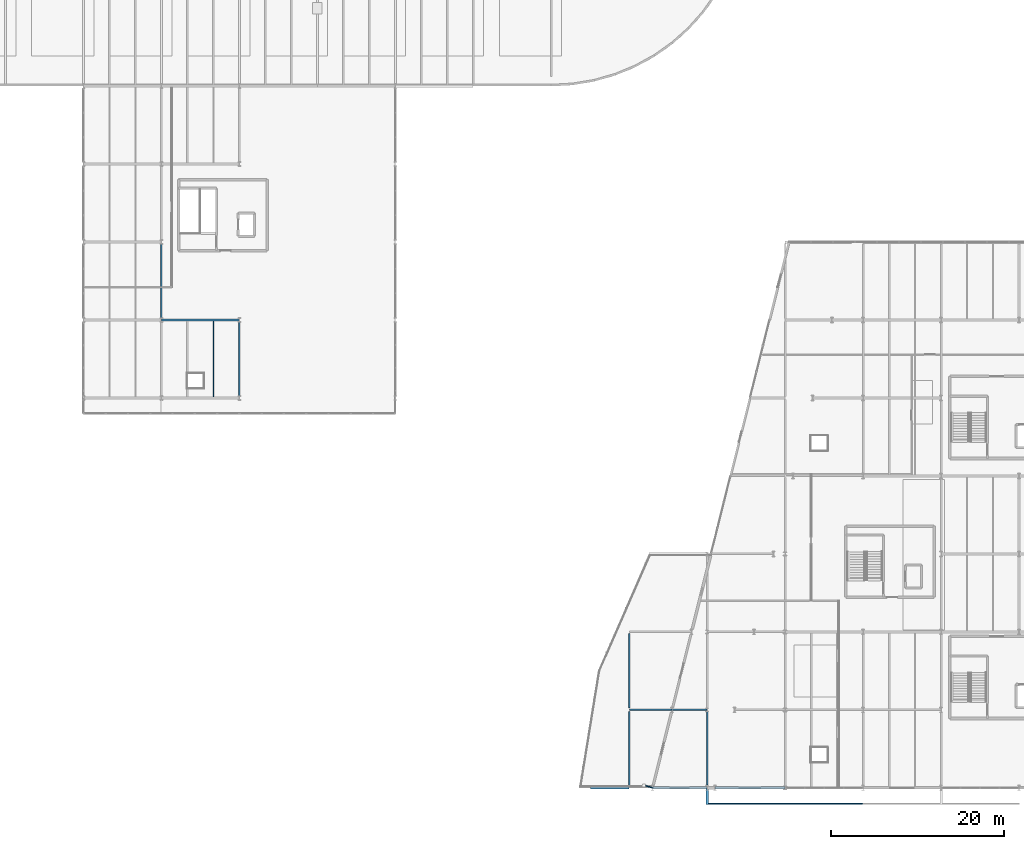
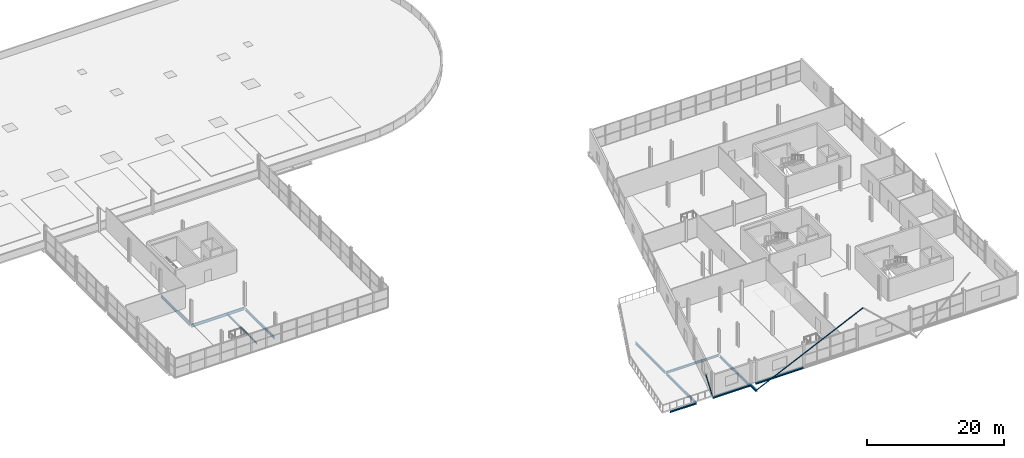
# One storey, part 9 of 59: 13 beams, 2 members.
"""IFC4 building model written with IfcOpenShell, lengths in metres."""

from ifc_helpers import new_model, si_unit, direction, frame, origin, origin_2d, place, context, subcontext, project, spatial, hollow_circle, i_section, extrude, material, material_profile, profile_set, type_object, element, save


model = new_model("IFC4")

# Units and contexts
model_context = context("Model", 3, precision=1e-05, world=origin(), true_north=direction((0.0, 1.0)))
body_context = subcontext(model_context, "Body", "Model", "MODEL_VIEW")
ifc_project = project(units=[si_unit("LENGTHUNIT", "METRE"), si_unit("AREAUNIT", "SQUARE_METRE"), si_unit("VOLUMEUNIT", "CUBIC_METRE"), si_unit("PLANEANGLEUNIT", "RADIAN"), si_unit("MASSUNIT", "GRAM", prefix="KILO")], contexts=[model_context])

# Site, building, storey
site_placement = place(None, origin())
site = spatial("IfcSite", under=ifc_project, at=site_placement, CompositionType="ELEMENT")
building_placement = place(site_placement, origin())
building = spatial("IfcBuilding", under=site, at=building_placement, Name="Deido Ridge Mobility Hub", CompositionType="ELEMENT")
storey_placement = place(building_placement, frame((0.0, 0.0, 21.0)))
storey = spatial("IfcBuildingStorey", under=building, at=storey_placement, Name="L05", CompositionType="ELEMENT", Elevation=21.0)

# Beams
ifc_material_1 = material(Name="Steel S355J2 EN 10025-2", Category="steel")
ifc_material_profile_1 = material_profile(ifc_material_1, i_section(OverallWidth=0.179931640625, OverallDepth=0.39990234375, WebThickness=0.008544921875, FlangeThickness=0.013427734375, FilletRadius=0.02099609375, at=origin_2d()), Name="IPE 400")
ifc_profile_set_1 = profile_set([ifc_material_profile_1], Name="Steel S355J2 EN 10025-2")
beam_type_1 = type_object("IfcBeamType", Name="BM-IPE400", PredefinedType="BEAM", material=ifc_profile_set_1)
beam_1_placement = place(storey_placement, frame((126.0087890625, 9.0, -0.445068359375), z_axis=(1.0, 0.0, 0.0), x_axis=(0.0, 1.0, 0.0)))
element("IfcBeam", 1, at=beam_1_placement, inside=storey, type_object=beam_type_1, Name="Floor beam B5", PredefinedType="BEAM", context=body_context, shape_type="SweptSolid", body=[
    extrude(i_section(OverallWidth=0.179931640625, OverallDepth=0.39990234375, WebThickness=0.008544921875, FlangeThickness=0.013427734375, FilletRadius=0.02099609375, at=origin_2d()), origin(), (0.0, 0.0, 1.0), 4.93359375),
])
beam_2_placement = place(storey_placement, frame((130.957763671875, 9.0, -0.445068359375), z_axis=(1.0, 0.0, 0.0), x_axis=(0.0, 1.0, 0.0)))
element("IfcBeam", 2, at=beam_2_placement, inside=storey, type_object=beam_type_1, Name="Floor beam B5", PredefinedType="BEAM", context=body_context, shape_type="SweptSolid", body=[
    extrude(i_section(OverallWidth=0.179931640625, OverallDepth=0.39990234375, WebThickness=0.008544921875, FlangeThickness=0.013427734375, FilletRadius=0.02099609375, at=origin_2d()), origin(), (0.0, 0.0, 1.0), 4.035400390625),
])
ifc_material_profile_2 = material_profile(ifc_material_1, i_section(OverallWidth=0.18994140625, OverallDepth=0.449951171875, WebThickness=0.009521484375, FlangeThickness=0.0146484375, FilletRadius=0.02099609375, at=origin_2d()), Name="IPE 450")
ifc_profile_set_2 = profile_set([ifc_material_profile_2], Name="Steel S355J2 EN 10025-2")
beam_type_2 = type_object("IfcBeamType", Name="BM-IPE450", PredefinedType="BEAM", material=ifc_profile_set_2)
for number, where, z_axis, x_axis, name in (
    (3, (72.0, 54.25, -0.469970703125), (0.0, 1.0, 0.0), (-1.0, 0.0, 0.0), "Floor beam B4"),
    (4, (81.0, 45.25, -0.469970703125), (0.0, 1.0, 0.0), (-1.0, 0.0, 0.0), "Floor beam B4"),
):
    element("IfcBeam", number, at=place(storey_placement, frame(where, z_axis=z_axis, x_axis=x_axis)), inside=storey, type_object=beam_type_2, Name=name, PredefinedType="BEAM", context=body_context, shape_type="SweptSolid", body=[
        extrude(i_section(OverallWidth=0.18994140625, OverallDepth=0.449951171875, WebThickness=0.009521484375, FlangeThickness=0.0146484375, FilletRadius=0.02099609375, at=origin_2d()), origin(), (0.0, 0.0, 1.0), 8.5),
    ])
for number, where, z_axis, x_axis, name in (
    (5, (126.0, 0.196533203125, -0.465087890625), (0.0, 1.0, 0.0), (-1.0, 0.0, 0.0), "Floor beam B4"),
    (6, (126.0, 9.196533203125, -0.465087890625), (0.0, 1.0, 0.0), (-1.0, 0.0, 0.0), "Floor beam B4"),
):
    element("IfcBeam", number, at=place(storey_placement, frame(where, z_axis=z_axis, x_axis=x_axis)), inside=storey, type_object=beam_type_2, Name=name, PredefinedType="BEAM", context=body_context, shape_type="SweptSolid", body=[
        extrude(i_section(OverallWidth=0.18994140625, OverallDepth=0.449951171875, WebThickness=0.009521484375, FlangeThickness=0.0146484375, FilletRadius=0.02099609375, at=origin_2d()), origin(), (0.0, 0.0, 1.0), 8.60693359375),
    ])
beam_3_placement = place(storey_placement, frame((135.0, 0.300048828125, -0.469970703125), z_axis=(0.0, 1.0, 0.0), x_axis=(-1.0, 0.0, 0.0)))
element("IfcBeam", 7, at=beam_3_placement, inside=storey, type_object=beam_type_2, Name="Floor beam B4", PredefinedType="BEAM", context=body_context, shape_type="SweptSolid", body=[
    extrude(i_section(OverallWidth=0.18994140625, OverallDepth=0.449951171875, WebThickness=0.009521484375, FlangeThickness=0.0146484375, FilletRadius=0.02099609375, at=origin_2d()), origin(), (0.0, 0.0, 1.0), 8.5),
])
ifc_material_profile_3 = material_profile(ifc_material_1, i_section(OverallWidth=0.199951171875, OverallDepth=0.5, WebThickness=0.01025390625, FlangeThickness=0.01611328125, FilletRadius=0.02099609375, at=origin_2d()), Name="IPE 500")
ifc_profile_set_3 = profile_set([ifc_material_profile_3], Name="Steel S355J2 EN 10025-2")
beam_type_3 = type_object("IfcBeamType", Name="BM-IPE500", PredefinedType="BEAM", material=ifc_profile_set_3)
beam_4_placement = place(storey_placement, frame((72.007080078125, 54.0, -0.4951171875), z_axis=(1.0, 0.0, 0.0), x_axis=(0.0, 1.0, 0.0)))
element("IfcBeam", 8, at=beam_4_placement, inside=storey, type_object=beam_type_3, Name="Floor beam B3", PredefinedType="BEAM", context=body_context, shape_type="SweptSolid", body=[
    extrude(i_section(OverallWidth=0.199951171875, OverallDepth=0.5, WebThickness=0.01025390625, FlangeThickness=0.01611328125, FilletRadius=0.02099609375, at=origin_2d()), origin(), (0.0, 0.0, 1.0), 8.98583984375),
])
ifc_material_profile_4 = material_profile(ifc_material_1, i_section(OverallWidth=0.135009765625, OverallDepth=0.27001953125, WebThickness=0.006591796875, FlangeThickness=0.01025390625, FilletRadius=0.014892578125, at=origin_2d()), Name="IPE 270")
ifc_profile_set_4 = profile_set([ifc_material_profile_4], Name="Steel S355J2 EN 10025-2")
beam_type_4 = type_object("IfcBeamType", Name="JST-IPE270", PredefinedType="JOIST", material=ifc_profile_set_4)
beam_5_placement = place(storey_placement, frame((78.0, 45.10009765625, -0.3798828125), z_axis=(0.0, 1.0, 0.0), x_axis=(-1.0, 0.0, 0.0)))
element("IfcBeam", 9, at=beam_5_placement, inside=storey, type_object=beam_type_4, Name="Composite joist J4", PredefinedType="JOIST", context=body_context, shape_type="SweptSolid", body=[
    extrude(i_section(OverallWidth=0.135009765625, OverallDepth=0.27001953125, WebThickness=0.006591796875, FlangeThickness=0.01025390625, FilletRadius=0.014892578125, at=origin_2d()), origin(), (0.0, 0.0, 1.0), 8.7998046875),
])

# Members
ifc_material_2 = material(Name="Steel S355J2H EN 10210-1", Category="steel")
ifc_material_profile_5 = material_profile(ifc_material_2, hollow_circle(Radius=0.084228515625, WallThickness=0.008056640625, at=origin_2d()), Name="CHS 168.3x8")
ifc_profile_set_5 = profile_set([ifc_material_profile_5], Name="Steel S355J2H EN 10210-1")
member_type = type_object("IfcMemberType", Name="MEM-STR-CHS168", PredefinedType="STRUT", material=ifc_profile_set_5)
member_1_placement = place(storey_placement, frame((135.0, -1.85009765625, -0.14990234375), z_axis=(0.906185023996, 0.0, 0.422881428163), x_axis=(0.0, 1.0, 0.0)))
element("IfcMember", 10, at=member_1_placement, inside=storey, type_object=member_type, Name="Deconstructivist facade diagrid strut SR1", PredefinedType="STRUT", context=body_context, shape_type="SweptSolid", body=[
    extrude(hollow_circle(Radius=0.084228515625, WallThickness=0.008056640625, at=origin_2d()), origin(), (0.0, 0.0, 1.0), 19.863525390625),
])
member_2_placement = place(storey_placement, frame((128.699951171875, 0.0, -0.14990234375), z_axis=(-0.231065723605, 0.069330999588, 0.970464756635), x_axis=(-0.287390791914, -0.957813412269, 0.0)))
element("IfcMember", 11, at=member_2_placement, inside=storey, type_object=member_type, Name="Deconstructivist facade diagrid strut SR1", PredefinedType="STRUT", context=body_context, shape_type="SweptSolid", body=[
    extrude(hollow_circle(Radius=0.084228515625, WallThickness=0.008056640625, at=origin_2d()), origin(), (0.0, 0.0, 1.0), 4.327880859375),
])

# Beams
ifc_material_profile_6 = material_profile(ifc_material_1, i_section(OverallWidth=0.280029296875, OverallDepth=0.27001953125, WebThickness=0.008056640625, FlangeThickness=0.012939453125, FilletRadius=0.02392578125, at=origin_2d()), Name="HEA 280")
ifc_profile_set_6 = profile_set([ifc_material_profile_6], Name="Steel S355J2 EN 10025-2")
beam_type_5 = type_object("IfcBeamType", Name="SPD-HEA280", PredefinedType="SPANDREL", material=ifc_profile_set_6)
beam_6_placement = place(storey_placement, frame((121.507080078125, 0.0, -0.375), z_axis=(1.0, 0.0, 0.0), x_axis=(0.0, 1.0, 0.0)))
element("IfcBeam", 12, at=beam_6_placement, inside=storey, type_object=beam_type_5, Name="Floor beam SP2", PredefinedType="SPANDREL", context=body_context, shape_type="SweptSolid", body=[
    extrude(i_section(OverallWidth=0.280029296875, OverallDepth=0.27001953125, WebThickness=0.008056640625, FlangeThickness=0.012939453125, FilletRadius=0.02392578125, at=origin_2d()), origin(), (0.0, 0.0, 1.0), 4.484130859375),
])
beam_7_placement = place(storey_placement, frame((128.707763671875, 0.0, -0.3798828125), z_axis=(1.0, 0.0, 0.0), x_axis=(0.0, 1.0, 0.0)))
element("IfcBeam", 13, at=beam_7_placement, inside=storey, type_object=beam_type_5, Name="Floor beam SP2", PredefinedType="SPANDREL", context=body_context, shape_type="SweptSolid", body=[
    extrude(i_section(OverallWidth=0.280029296875, OverallDepth=0.27001953125, WebThickness=0.008056640625, FlangeThickness=0.012939453125, FilletRadius=0.02392578125, at=origin_2d()), origin(), (0.0, 0.0, 1.0), 6.284423828125),
])
beam_8_placement = place(storey_placement, frame((135.90771484375, 0.0, -0.3798828125), z_axis=(1.0, 0.0, 0.0), x_axis=(0.0, 1.0, 0.0)))
element("IfcBeam", 14, at=beam_8_placement, inside=storey, type_object=beam_type_5, Name="Floor beam SP2", PredefinedType="SPANDREL", context=body_context, shape_type="SweptSolid", body=[
    extrude(i_section(OverallWidth=0.280029296875, OverallDepth=0.27001953125, WebThickness=0.008056640625, FlangeThickness=0.012939453125, FilletRadius=0.02392578125, at=origin_2d()), origin(), (0.0, 0.0, 1.0), 8.08349609375),
])
ifc_material_profile_7 = material_profile(ifc_material_1, i_section(OverallWidth=0.300048828125, OverallDepth=0.300048828125, WebThickness=0.010986328125, FlangeThickness=0.01904296875, FilletRadius=0.027099609375, at=origin_2d()), Name="HEB 300")
ifc_profile_set_7 = profile_set([ifc_material_profile_7], Name="Steel S355J2 EN 10025-2")
beam_type_6 = type_object("IfcBeamType", Name="SPD-HEB300", PredefinedType="SPANDREL", material=ifc_profile_set_7)
beam_9_placement = place(storey_placement, frame((135.0, -0.050048828125, -0.14990234375), z_axis=(0.0, -1.0, 0.0), x_axis=(1.0, 0.0, 0.0)))
element("IfcBeam", 15, at=beam_9_placement, inside=storey, type_object=beam_type_6, Name="Exoskeleton outrigger beam SP1", PredefinedType="SPANDREL", context=body_context, shape_type="SweptSolid", body=[
    extrude(i_section(OverallWidth=0.300048828125, OverallDepth=0.300048828125, WebThickness=0.010986328125, FlangeThickness=0.01904296875, FilletRadius=0.027099609375, at=origin_2d()), origin(), (0.0, 0.0, 1.0), 1.89990234375),
])

save(model, "model.ifc")
